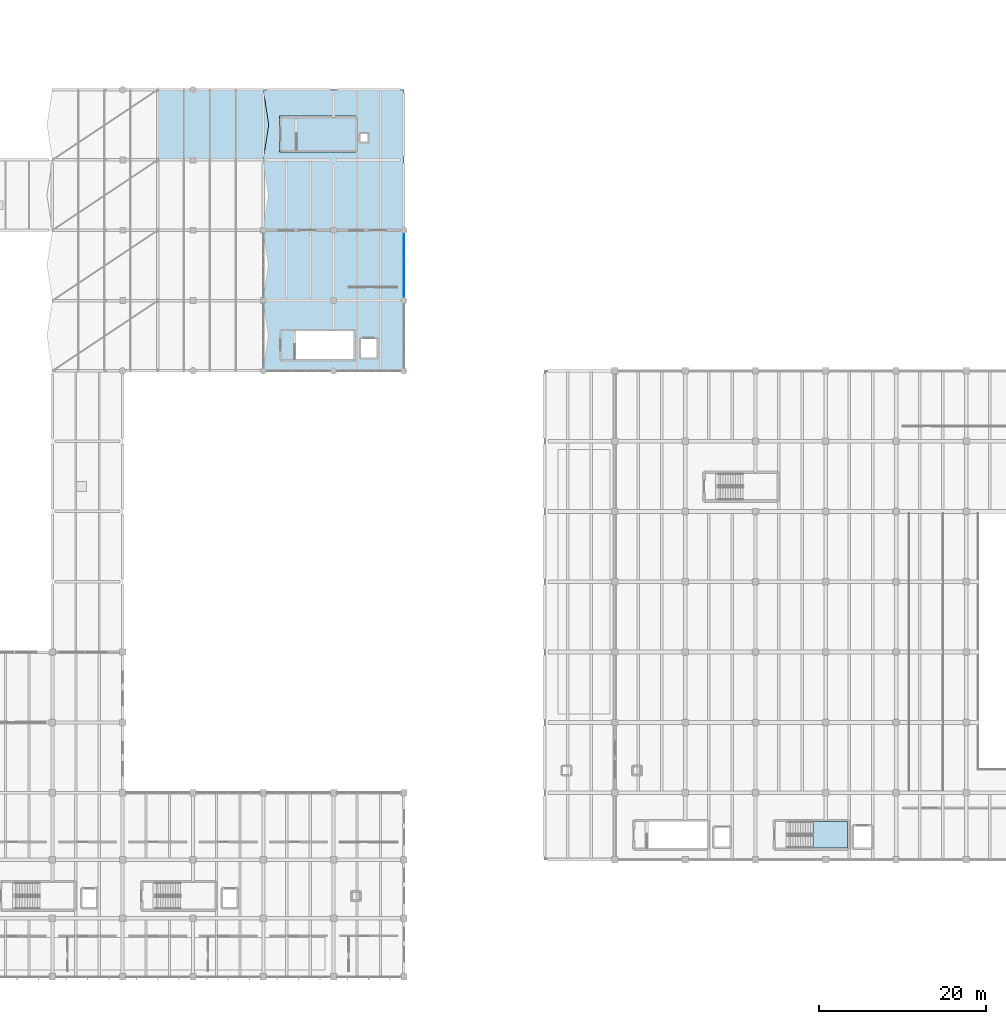
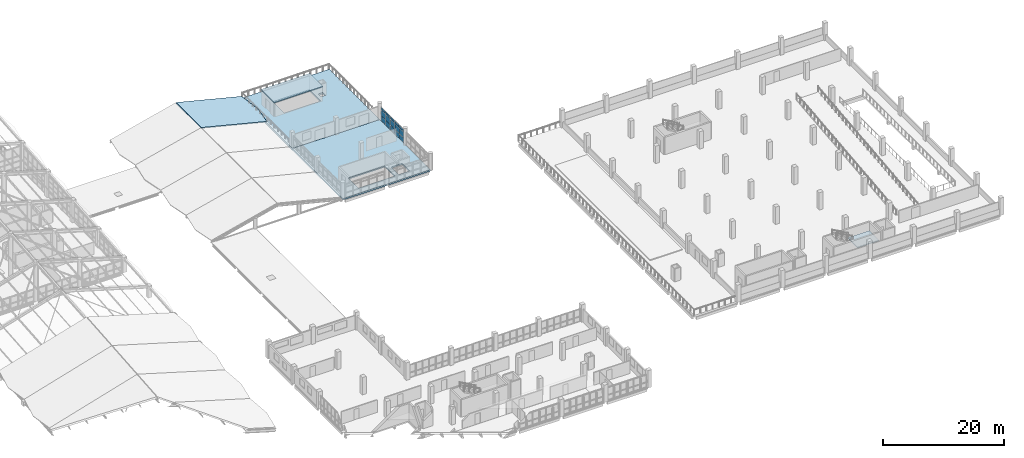
# One storey, part 72 of 95: 15 plates, 5 slabs, 2 elements without a shape of their own.
"""IFC4 building model written with IfcOpenShell, lengths in metres."""

from ifc_helpers import new_model, si_unit, direction, frame, origin, origin_2d, place, context, subcontext, project, spatial, polyline, rectangle, outline, extrude, material, layer, layer_set, type_object, element, aggregate, save


model = new_model("IFC4")

# Units and contexts
model_context = context("Model", 3, precision=1e-05, world=origin(), true_north=direction((0.0, 1.0)))
body_context = subcontext(model_context, "Body", "Model", "MODEL_VIEW")
ifc_project = project(units=[si_unit("LENGTHUNIT", "METRE"), si_unit("AREAUNIT", "SQUARE_METRE"), si_unit("VOLUMEUNIT", "CUBIC_METRE"), si_unit("PLANEANGLEUNIT", "RADIAN"), si_unit("MASSUNIT", "GRAM", prefix="KILO"), si_unit("THERMODYNAMICTEMPERATUREUNIT", "KELVIN"), si_unit("POWERUNIT", "WATT")], contexts=[model_context])

# Site, building, storey
site_placement = place(None, origin())
site = spatial("IfcSite", under=ifc_project, at=site_placement, CompositionType="ELEMENT")
building_placement = place(site_placement, origin())
building = spatial("IfcBuilding", under=site, at=building_placement, Name="Mavoryth Pier Ferry Terminal", CompositionType="ELEMENT")
storey_placement = place(building_placement, frame((0.0, 0.0, 9.60009765625)))
storey = spatial("IfcBuildingStorey", under=building, at=storey_placement, Name="L02", CompositionType="ELEMENT", Elevation=9.60009765625)

# Curtain wall, plates
ifc_material_1 = material(Name="Anodised Aluminium and Solar-Control Low-E Glass", Category="aluminium")
ifc_layer_1 = layer(ifc_material_1, 0.159912109375, Name="Anodised Aluminium and Solar-Control Low-E Glass", Category="aluminium")
ifc_layer_set_1 = layer_set([ifc_layer_1], Name="Anodised Aluminium and Solar-Control Low-E Glass - CW-Arrivals-Mod1400")
curtain_wall_type = type_object("IfcCurtainWallType", Name="CW-Arrivals-Mod1400", PredefinedType="USERDEFINED", material=ifc_layer_set_1)
curtain_wall_placement = place(storey_placement, origin())
curtain_wall = element("IfcCurtainWall", 1, at=curtain_wall_placement, inside=storey, type_object=curtain_wall_type, Name="Curtain Wall CW-0222-073", ObjectType="UNITISED CURTAIN WALL", PredefinedType="USERDEFINED")
ifc_material_2 = material(Name="Solar-Control Low-E Laminated Double Glazing", Category="glass")
ifc_layer_2 = layer(ifc_material_2, 0.02392578125, Name="Solar-Control Low-E Laminated Double Glazing", Category="glass")
ifc_layer_set_2 = layer_set([ifc_layer_2], Name="Solar-Control Low-E Laminated Double Glazing - Panel-LowE-DGU-24")
plate_type = type_object("IfcPlateType", Name="Panel-LowE-DGU-24", PredefinedType="CURTAIN_PANEL", material=ifc_layer_set_2)
plate_1_placement = place(storey_placement, frame((92.39990234375, 81.967041015625, 0.059814453125), z_axis=(0.0, 0.0, 1.0), x_axis=(0.0, 1.0, 0.0)))
plate_1 = element("IfcPlate", 2, at=plate_1_placement, type_object=plate_type, Name="CW04 panel 1.1", PredefinedType="CURTAIN_PANEL", context=body_context, shape_type="SweptSolid", body=[
    extrude(rectangle(XDim=1.43408203125, YDim=0.02392578125, at=origin_2d()), origin(), (0.0, 0.0, 1.0), 0.9599609375),
])
plate_2_placement = place(storey_placement, frame((92.39990234375, 81.967041015625, 1.080078125), z_axis=(0.0, 0.0, 1.0), x_axis=(0.0, 1.0, 0.0)))
plate_2 = element("IfcPlate", 3, at=plate_2_placement, type_object=plate_type, Name="CW04 panel 1.2", PredefinedType="CURTAIN_PANEL", context=body_context, shape_type="SweptSolid", body=[
    extrude(rectangle(XDim=1.43408203125, YDim=0.02392578125, at=origin_2d()), origin(), (0.0, 0.0, 1.0), 1.139892578125),
])
plate_3_placement = place(storey_placement, frame((92.39990234375, 81.967041015625, 2.27978515625), z_axis=(0.0, 0.0, 1.0), x_axis=(0.0, 1.0, 0.0)))
plate_3 = element("IfcPlate", 4, at=plate_3_placement, type_object=plate_type, Name="CW04 panel 1.3", PredefinedType="CURTAIN_PANEL", context=body_context, shape_type="SweptSolid", body=[
    extrude(rectangle(XDim=1.43408203125, YDim=0.02392578125, at=origin_2d()), origin(), (0.0, 0.0, 1.0), 0.465087890625),
])
plate_4_placement = place(storey_placement, frame((92.39990234375, 83.47607421875, 0.059814453125), z_axis=(0.0, 0.0, 1.0), x_axis=(0.0, 1.0, 0.0)))
plate_4 = element("IfcPlate", 5, at=plate_4_placement, type_object=plate_type, Name="CW04 panel 2.1", PredefinedType="CURTAIN_PANEL", context=body_context, shape_type="SweptSolid", body=[
    extrude(rectangle(XDim=1.464111328125, YDim=0.02392578125, at=origin_2d()), origin(), (0.0, 0.0, 1.0), 0.9599609375),
])
plate_5_placement = place(storey_placement, frame((92.39990234375, 83.47607421875, 1.080078125), z_axis=(0.0, 0.0, 1.0), x_axis=(0.0, 1.0, 0.0)))
plate_5 = element("IfcPlate", 6, at=plate_5_placement, type_object=plate_type, Name="CW04 panel 2.2", PredefinedType="CURTAIN_PANEL", context=body_context, shape_type="SweptSolid", body=[
    extrude(rectangle(XDim=1.464111328125, YDim=0.02392578125, at=origin_2d()), origin(), (0.0, 0.0, 1.0), 1.139892578125),
])
plate_6_placement = place(storey_placement, frame((92.39990234375, 83.47607421875, 2.27978515625), z_axis=(0.0, 0.0, 1.0), x_axis=(0.0, 1.0, 0.0)))
plate_6 = element("IfcPlate", 7, at=plate_6_placement, type_object=plate_type, Name="CW04 panel 2.3", PredefinedType="CURTAIN_PANEL", context=body_context, shape_type="SweptSolid", body=[
    extrude(rectangle(XDim=1.464111328125, YDim=0.02392578125, at=origin_2d()), origin(), (0.0, 0.0, 1.0), 0.465087890625),
])
plate_7_placement = place(storey_placement, frame((92.39990234375, 85.0, 0.059814453125), z_axis=(0.0, 0.0, 1.0), x_axis=(0.0, 1.0, 0.0)))
plate_7 = element("IfcPlate", 8, at=plate_7_placement, type_object=plate_type, Name="CW04 panel 3.1", PredefinedType="CURTAIN_PANEL", context=body_context, shape_type="SweptSolid", body=[
    extrude(rectangle(XDim=1.464111328125, YDim=0.02392578125, at=origin_2d()), origin(), (0.0, 0.0, 1.0), 0.9599609375),
])
plate_8_placement = place(storey_placement, frame((92.39990234375, 85.0, 1.080078125), z_axis=(0.0, 0.0, 1.0), x_axis=(0.0, 1.0, 0.0)))
plate_8 = element("IfcPlate", 9, at=plate_8_placement, type_object=plate_type, Name="CW04 panel 3.2", PredefinedType="CURTAIN_PANEL", context=body_context, shape_type="SweptSolid", body=[
    extrude(rectangle(XDim=1.464111328125, YDim=0.02392578125, at=origin_2d()), origin(), (0.0, 0.0, 1.0), 1.139892578125),
])
plate_9_placement = place(storey_placement, frame((92.39990234375, 85.0, 2.27978515625), z_axis=(0.0, 0.0, 1.0), x_axis=(0.0, 1.0, 0.0)))
plate_9 = element("IfcPlate", 10, at=plate_9_placement, type_object=plate_type, Name="CW04 panel 3.3", PredefinedType="CURTAIN_PANEL", context=body_context, shape_type="SweptSolid", body=[
    extrude(rectangle(XDim=1.464111328125, YDim=0.02392578125, at=origin_2d()), origin(), (0.0, 0.0, 1.0), 0.465087890625),
])
plate_10_placement = place(storey_placement, frame((92.39990234375, 86.52392578125, 0.059814453125), z_axis=(0.0, 0.0, 1.0), x_axis=(0.0, 1.0, 0.0)))
plate_10 = element("IfcPlate", 11, at=plate_10_placement, type_object=plate_type, Name="CW04 panel 4.1", PredefinedType="CURTAIN_PANEL", context=body_context, shape_type="SweptSolid", body=[
    extrude(rectangle(XDim=1.464111328125, YDim=0.02392578125, at=origin_2d()), origin(), (0.0, 0.0, 1.0), 0.9599609375),
])
plate_11_placement = place(storey_placement, frame((92.39990234375, 86.52392578125, 1.080078125), z_axis=(0.0, 0.0, 1.0), x_axis=(0.0, 1.0, 0.0)))
plate_11 = element("IfcPlate", 12, at=plate_11_placement, type_object=plate_type, Name="CW04 panel 4.2", PredefinedType="CURTAIN_PANEL", context=body_context, shape_type="SweptSolid", body=[
    extrude(rectangle(XDim=1.464111328125, YDim=0.02392578125, at=origin_2d()), origin(), (0.0, 0.0, 1.0), 1.139892578125),
])
plate_12_placement = place(storey_placement, frame((92.39990234375, 86.52392578125, 2.27978515625), z_axis=(0.0, 0.0, 1.0), x_axis=(0.0, 1.0, 0.0)))
plate_12 = element("IfcPlate", 13, at=plate_12_placement, type_object=plate_type, Name="CW04 panel 4.3", PredefinedType="CURTAIN_PANEL", context=body_context, shape_type="SweptSolid", body=[
    extrude(rectangle(XDim=1.464111328125, YDim=0.02392578125, at=origin_2d()), origin(), (0.0, 0.0, 1.0), 0.465087890625),
])
plate_13_placement = place(storey_placement, frame((92.39990234375, 88.032958984375, 0.059814453125), z_axis=(0.0, 0.0, 1.0), x_axis=(0.0, 1.0, 0.0)))
plate_13 = element("IfcPlate", 14, at=plate_13_placement, type_object=plate_type, Name="CW04 panel 5.1", PredefinedType="CURTAIN_PANEL", context=body_context, shape_type="SweptSolid", body=[
    extrude(rectangle(XDim=1.43408203125, YDim=0.02392578125, at=origin_2d()), origin(), (0.0, 0.0, 1.0), 0.9599609375),
])
plate_14_placement = place(storey_placement, frame((92.39990234375, 88.032958984375, 1.080078125), z_axis=(0.0, 0.0, 1.0), x_axis=(0.0, 1.0, 0.0)))
plate_14 = element("IfcPlate", 15, at=plate_14_placement, type_object=plate_type, Name="CW04 panel 5.2", PredefinedType="CURTAIN_PANEL", context=body_context, shape_type="SweptSolid", body=[
    extrude(rectangle(XDim=1.43408203125, YDim=0.02392578125, at=origin_2d()), origin(), (0.0, 0.0, 1.0), 1.139892578125),
])
plate_15_placement = place(storey_placement, frame((92.39990234375, 88.032958984375, 2.27978515625), z_axis=(0.0, 0.0, 1.0), x_axis=(0.0, 1.0, 0.0)))
plate_15 = element("IfcPlate", 16, at=plate_15_placement, type_object=plate_type, Name="CW04 panel 5.3", PredefinedType="CURTAIN_PANEL", context=body_context, shape_type="SweptSolid", body=[
    extrude(rectangle(XDim=1.43408203125, YDim=0.02392578125, at=origin_2d()), origin(), (0.0, 0.0, 1.0), 0.465087890625),
])
aggregate(curtain_wall, [plate_1, plate_2, plate_3, plate_4, plate_5, plate_6, plate_7, plate_8, plate_9, plate_10, plate_11, plate_12, plate_13, plate_14, plate_15])

# Slab
ifc_material_3 = material(Name="Concrete C35/45", Category="concrete")
ifc_layer_3 = layer(ifc_material_3, 0.280029296875, Name="Concrete C35/45", Category="concrete")
ifc_layer_set_3 = layer_set([ifc_layer_3], Name="Concrete C35/45 - Slab-Floor-Concourse-280")
slab_type_1 = type_object("IfcSlabType", Name="Slab-Floor-Concourse-280", PredefinedType="FLOOR", material=ifc_layer_set_3)
slab_1_placement = place(storey_placement, frame((0.0, 0.0, -0.280029296875)))
element("IfcSlab", 17, at=slab_1_placement, inside=storey, type_object=slab_type_1, Name="Slab SLB-V2-PAV-L02", PredefinedType="FLOOR", context=body_context, shape_type="SweptSolid", body=[
    extrude(outline(polyline([(75.60009765625, 72.39990234375), (92.39990234375, 72.39990234375), (92.39990234375, 89.199951171875), (75.60009765625, 89.199951171875), (75.60009765625, 72.39990234375)]), holes=[polyline([(79.39990234375, 73.800048828125), (86.39990234375, 73.800048828125), (86.39990234375, 77.14990234375), (79.39990234375, 77.14990234375), (79.39990234375, 73.800048828125)]), polyline([(87.14990234375, 73.85009765625), (89.25, 73.85009765625), (89.25, 76.35009765625), (87.14990234375, 76.35009765625), (87.14990234375, 73.85009765625)])]), origin(), (0.0, 0.0, 1.0), 0.280029296875),
])

# Stair, slab
stair_type = type_object("IfcStairType", Name="Stair-Core-W1500", PredefinedType="TWO_STRAIGHT_RUN_STAIR", material=ifc_material_3)
stair_placement = place(storey_placement, origin())
stair = element("IfcStair", 18, at=stair_placement, inside=storey, type_object=stair_type, Name="L02 Core C4B Stair", PredefinedType="TWO_STRAIGHT_RUN_STAIR")
ifc_layer_4 = layer(ifc_material_3, 0.199951171875, Name="Concrete C35/45", Category="concrete")
ifc_layer_set_4 = layer_set([ifc_layer_4], Name="Concrete C35/45 - Slab-Landing-RC-200")
slab_type_2 = type_object("IfcSlabType", Name="Slab-Landing-RC-200", PredefinedType="LANDING", material=ifc_layer_set_4)
slab_2_placement = place(storey_placement, frame((0.0, 0.0, 1.559814453125)))
slab_2 = element("IfcSlab", 19, at=slab_2_placement, type_object=slab_type_2, Name="ST09 landing 1", PredefinedType="LANDING", context=body_context, shape_type="SweptSolid", body=[
    extrude(outline(polyline([(141.300048828125, 15.39990234375), (145.39990234375, 15.39990234375), (145.39990234375, 18.550048828125), (141.300048828125, 18.550048828125), (141.300048828125, 15.39990234375)])), origin(), (0.0, 0.0, 1.0), 0.2001953125),
])
aggregate(stair, [slab_2])

# Slabs
ifc_layer_5 = layer(ifc_material_3, 0.159912109375, Name="Concrete C35/45", Category="concrete")
ifc_layer_set_5 = layer_set([ifc_layer_5], Name="Concrete C35/45 - Slab-Roof-Canopy-160")
slab_type_3 = type_object("IfcSlabType", Name="Slab-Roof-Canopy-160", PredefinedType="ROOF", material=ifc_layer_set_5)
slab_3_placement = place(storey_placement, frame((0.0, 0.0, 2.83984375)))
element("IfcSlab", 20, at=slab_3_placement, inside=storey, type_object=slab_type_3, Name="Slab SLB-FS3-BULK-RF", PredefinedType="ROOF", context=body_context, shape_type="SweptSolid", body=[
    extrude(outline(polyline([(77.52001953125, 98.52001953125), (86.8798828125, 98.52001953125), (86.8798828125, 102.8798828125), (77.52001953125, 102.8798828125), (77.52001953125, 98.52001953125)])), origin(), (0.0, 0.0, 1.0), 0.16015625),
])
ifc_layer_6 = layer(ifc_material_3, 0.199951171875, Name="Concrete C35/45", Category="concrete")
ifc_layer_set_6 = layer_set([ifc_layer_6], Name="Concrete C35/45 - Slab-Roof-PitchedV2-200")
slab_type_4 = type_object("IfcSlabType", Name="Slab-Roof-PitchedV2-200", PredefinedType="ROOF", material=ifc_layer_set_6)
slab_4_placement = place(storey_placement, frame((63.05810546875, 97.60009765625, 3.54150390625), z_axis=(0.242981664779, 0.0, 0.970030881251), x_axis=(0.970030881251, 0.0, -0.242981664779)))
element("IfcSlab", 21, at=slab_4_placement, inside=storey, type_object=slab_type_4, Name="Arrivals Roof East Bay 4", PredefinedType="ROOF", context=body_context, shape_type="SweptSolid", body=[
    extrude(outline(polyline([(0.0, 0.0), (12.929471312016439, 0.0), (13.599464226151845, 4.199951171875001), (12.929471312016439, 8.399902343750002), (0.0, 8.399902343750002), (0.0, 0.0)])), origin(), (0.0, 0.0, -1.0), 0.199951171875),
])
ifc_layer_7 = layer(ifc_material_3, 0.360107421875, Name="Concrete C35/45", Category="concrete")
ifc_layer_set_7 = layer_set([ifc_layer_7], Name="Concrete C35/45 - Slab-Terrace-Garden-360")
slab_type_5 = type_object("IfcSlabType", Name="Slab-Terrace-Garden-360", PredefinedType="FLOOR", material=ifc_layer_set_7)
slab_5_placement = place(storey_placement, frame((0.0, 0.0, -0.360107421875)))
element("IfcSlab", 22, at=slab_5_placement, inside=storey, type_object=slab_type_5, Name="Slab SLB-V2-PROM-L02", PredefinedType="FLOOR", context=body_context, shape_type="SweptSolid", body=[
    extrude(outline(polyline([(75.60009765625, 89.199951171875), (92.39990234375, 89.199951171875), (92.39990234375, 106.0), (75.60009765625, 106.0), (75.60009765625, 89.199951171875)]), holes=[polyline([(79.60009765625, 98.800048828125), (86.60009765625, 98.800048828125), (86.60009765625, 102.550048828125), (79.60009765625, 102.550048828125), (79.60009765625, 98.800048828125)]), polyline([(87.199951171875, 99.800048828125), (88.10009765625, 99.800048828125), (88.10009765625, 100.699951171875), (87.199951171875, 100.699951171875), (87.199951171875, 99.800048828125)])]), origin(), (0.0, 0.0, 1.0), 0.360107421875),
])

save(model, "model.ifc")
